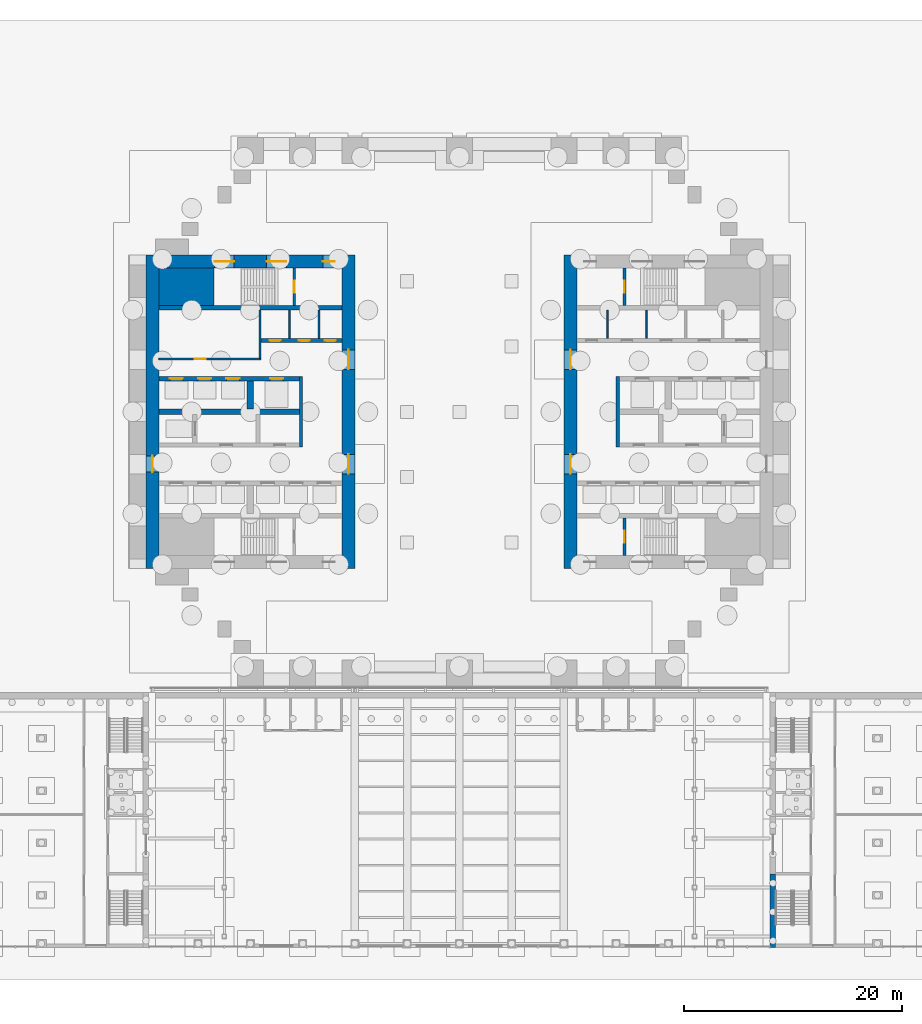
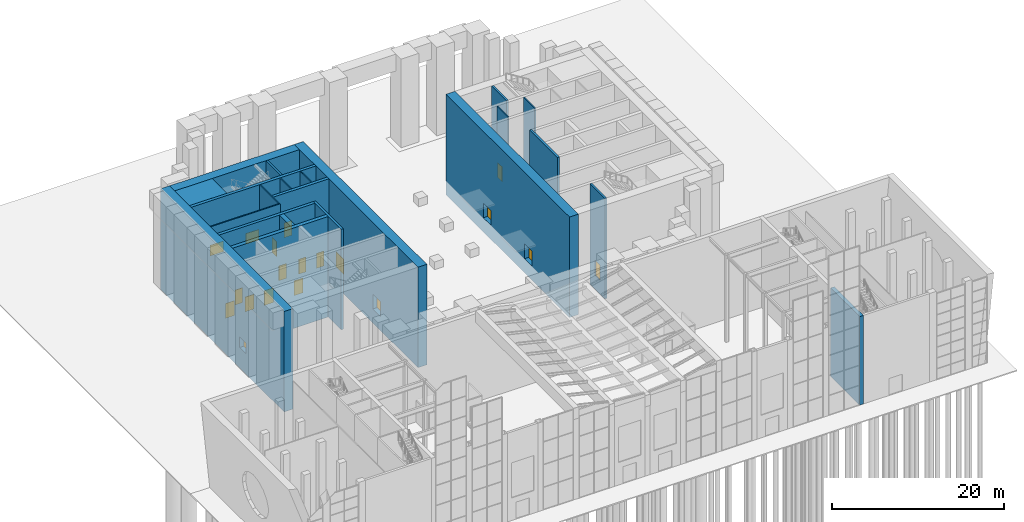
# One storey, part 46 of 58: 22 walls, 16 doors, 3 windows, 19 openings.
"""IFC4 building model written with IfcOpenShell, lengths in metres."""

from ifc_helpers import new_model, si_unit, direction, frame, frame_2d, origin, place, context, subcontext, project, spatial, rectangle, extrude, material, layer, layer_set, type_object, element, fill, save


model = new_model("IFC4")

# Units and contexts
model_context = context("Model", 3, precision=1e-05, world=origin(), true_north=direction((0.0, 1.0)))
body_context = subcontext(model_context, "Body", "Model", "MODEL_VIEW")
ifc_project = project(units=[si_unit("LENGTHUNIT", "METRE"), si_unit("AREAUNIT", "SQUARE_METRE"), si_unit("VOLUMEUNIT", "CUBIC_METRE"), si_unit("PLANEANGLEUNIT", "RADIAN"), si_unit("MASSUNIT", "GRAM", prefix="KILO")], contexts=[model_context])

# Site, building, storey
site_placement = place(None, origin())
site = spatial("IfcSite", under=ifc_project, at=site_placement, CompositionType="ELEMENT")
building_placement = place(site_placement, origin())
building = spatial("IfcBuilding", under=site, at=building_placement, Name="Baori Bourse Tower", CompositionType="ELEMENT")
storey_placement = place(building_placement, origin())
storey = spatial("IfcBuildingStorey", under=building, at=storey_placement, Name="L00", CompositionType="ELEMENT", Elevation=0.0)

# Wall
ifc_material_1 = material(Name="Concrete f'c 70 MPa", Category="concrete")
wall_type_1 = type_object("IfcWallType", Name="Core corner block f'c 70", PredefinedType="SHEAR", material=ifc_material_1)
wall_1_placement = place(storey_placement, frame((1.199951171875, 35.47509765625, -2.0), z_axis=(0.0, 0.0, 1.0), x_axis=(1.0, 0.0, 0.0)))
element("IfcWall", 1, at=wall_1_placement, inside=storey, type_object=wall_type_1, Name="Core wall W22", PredefinedType="SHEAR", context=body_context, shape_type="SweptSolid", body=[
    extrude(rectangle(XDim=5.050048828125, YDim=3.449951171875, at=frame_2d((2.52490234375, 0.0))), origin(), (0.0, 0.0, 1.0), 14.300048828125),
])

# Wall, opening, door
ifc_material_2 = material(Name="Blockwork partition", Category="masonry")
ifc_layer_1 = layer(ifc_material_2, 0.14990234375)
ifc_layer_set_1 = layer_set([ifc_layer_1], Name="Core partition 150")
wall_type_2 = type_object("IfcWallType", Name="Core partition 150", PredefinedType="PARTITIONING", material=ifc_layer_set_1)
wall_2_placement = place(storey_placement, frame((1.199951171875, 28.85009765625, 0.0), z_axis=(0.0, 0.0, 1.0), x_axis=(1.0, 0.0, 0.0)))
wall_2 = element("IfcWall", 2, at=wall_2_placement, inside=storey, type_object=wall_type_2, Name="Partition wall W16", PredefinedType="PARTITIONING", context=body_context, shape_type="SweptSolid", body=[
    extrude(rectangle(XDim=9.35009765625, YDim=0.14990234375, at=frame_2d((4.675048828125, 0.0))), origin(), (0.0, 0.0, 1.0), 12.300048828125),
])
opening_1_placement = place(wall_2_placement, frame((3.300048828125, 0.0, 0.0)))
opening_1 = element("IfcOpeningElement", 3, at=opening_1_placement, cuts=wall_2, Name="Opening L00-D109", PredefinedType="OPENING", context=body_context, shape_type="SweptSolid", body=[
    extrude(rectangle(XDim=1.0, YDim=2.10009765625, at=frame_2d((0.5, 1.050048828125))), frame((0.0, 0.0849609375, 0.0), z_axis=(0.0, -1.0, 0.0), x_axis=(1.0, 0.0, 0.0)), (0.0, 0.0, 1.0), 0.169921875),
])
ifc_material_3 = material(Name="Painted steel door", Category="steel")
door_type_1 = type_object("IfcDoorType", Name="Core door 1000", OperationType="SINGLE_SWING_LEFT", PredefinedType="DOOR", material=ifc_material_3)
door_1_placement = place(opening_1_placement, origin())
door_1 = element("IfcDoor", 4, at=door_1_placement, inside=storey, type_object=door_type_1, Name="Fire command centre door W L00", OperationType="SINGLE_SWING_LEFT", OverallHeight=2.10009765625, OverallWidth=1.0, PredefinedType="DOOR", context=body_context, shape_type="SweptSolid", body=[
    extrude(rectangle(XDim=1.0, YDim=2.10009765625, at=frame_2d((0.5, 1.050048828125))), frame((0.0, 0.02490234375, 0.0), z_axis=(0.0, -1.0, 0.0), x_axis=(1.0, 0.0, 0.0)), (0.0, 0.0, 1.0), 0.050048828125),
])
fill(opening_1, door_1)

# Walls
wall_3_placement = place(storey_placement, frame((10.47509765625, 28.925048828125, 0.0), z_axis=(0.0, 0.0, 1.0), x_axis=(0.0, 1.0, 0.0)))
element("IfcWall", 5, at=wall_3_placement, inside=storey, type_object=wall_type_2, Name="Partition wall W17", PredefinedType="PARTITIONING", context=body_context, shape_type="SweptSolid", body=[
    extrude(rectangle(XDim=4.425048828125, YDim=0.14990234375, at=frame_2d((2.21240234375, 0.0))), origin(), (0.0, 0.0, 1.0), 12.300048828125),
])
for number, where, z_axis, x_axis, name in (
    (6, (13.199951171875, 30.75, 0.0), (0.0, 0.0, 1.0), (0.0, 1.0, 0.0), "Partition wall W19"),
    (7, (15.89990234375, 30.75, 0.0), (0.0, 0.0, 1.0), (0.0, 1.0, 0.0), "Partition wall W20"),
    (8, (46.0, 30.75, 0.0), (0.0, 0.0, 1.0), (0.0, 1.0, 0.0), "Partition wall E19"),
    (9, (42.39990234375, 30.75, 0.0), (0.0, 0.0, 1.0), (0.0, 1.0, 0.0), "Partition wall E20"),
):
    element("IfcWall", number, at=place(storey_placement, frame(where, z_axis=z_axis, x_axis=x_axis)), inside=storey, type_object=wall_type_2, Name=name, PredefinedType="PARTITIONING", context=body_context, shape_type="SweptSolid", body=[
        extrude(rectangle(XDim=2.60009765625, YDim=0.14990234375, at=frame_2d((1.300048828125, 0.0))), origin(), (0.0, 0.0, 1.0), 12.300048828125),
    ])

# Wall, opening, window
ifc_material_4 = material(Name="Concrete f'c 70 MPa", Category="concrete")
ifc_layer_2 = layer(ifc_material_4, 1.199951171875)
ifc_layer_set_2 = layer_set([ifc_layer_2], Name="Core wall 1200 f'c 70")
wall_type_3 = type_object("IfcWallType", Name="Core wall 1200 f'c 70", PredefinedType="SHEAR", material=ifc_layer_set_2)
wall_4_placement = place(storey_placement, frame((0.60009765625, 9.60009765625, -2.0), z_axis=(0.0, 0.0, 1.0), x_axis=(0.0, 1.0, 0.0)))
wall_4 = element("IfcWall", 10, at=wall_4_placement, inside=storey, type_object=wall_type_3, Name="Core wall W01", PredefinedType="SHEAR", context=body_context, shape_type="SweptSolid", body=[
    extrude(rectangle(XDim=28.7998046875, YDim=1.199951171875, at=frame_2d((14.39990234375, 0.0))), origin(), (0.0, 0.0, 1.0), 14.300048828125),
])
opening_2_placement = place(wall_4_placement, frame((8.85009765625, 0.0, 2.89990234375)))
opening_2 = element("IfcOpeningElement", 11, at=opening_2_placement, cuts=wall_4, Name="Opening L00-KW101", PredefinedType="OPENING", context=body_context, shape_type="SweptSolid", body=[
    extrude(rectangle(XDim=1.5, YDim=1.5, at=frame_2d((0.75, 0.75))), frame((0.0, 0.60986328125, 0.0), z_axis=(0.0, -1.0, 0.0), x_axis=(1.0, 0.0, 0.0)), (0.0, 0.0, 1.0), 1.219970703125),
])
ifc_material_5 = material(Name="Pale anodised aluminium", Category="aluminium")
window_type_1 = type_object("IfcWindowType", Name="Lobby window 1500 x 1500", PartitioningType="SINGLE_PANEL", PredefinedType="WINDOW", material=ifc_material_5)
window_1_placement = place(opening_2_placement, origin())
window_1 = element("IfcWindow", 12, at=window_1_placement, inside=storey, type_object=window_type_1, Name="Outer wall window W L00 1", OverallHeight=1.5, OverallWidth=1.5, PartitioningType="SINGLE_PANEL", PredefinedType="WINDOW", context=body_context, shape_type="SweptSolid", body=[
    extrude(rectangle(XDim=1.5, YDim=1.5, at=frame_2d((0.75, 0.75))), frame((0.0, 0.030029296875, 0.0), z_axis=(0.0, -1.0, 0.0), x_axis=(1.0, 0.0, 0.0)), (0.0, 0.0, 1.0), 0.06005859375),
])
fill(opening_2, window_1)

# Wall, openings, doors
wall_5_placement = place(storey_placement, frame((18.60009765625, 38.39990234375, -2.0), z_axis=(0.0, 0.0, 1.0), x_axis=(0.0, -1.0, 0.0)))
wall_5 = element("IfcWall", 13, at=wall_5_placement, inside=storey, type_object=wall_type_3, Name="Core wall W03", PredefinedType="SHEAR", context=body_context, shape_type="SweptSolid", body=[
    extrude(rectangle(XDim=28.7998046875, YDim=1.199951171875, at=frame_2d((14.39990234375, 0.0))), origin(), (0.0, 0.0, 1.0), 14.300048828125),
])
opening_3_placement = place(wall_5_placement, frame((18.300048828125, 0.0, 2.0)))
opening_3 = element("IfcOpeningElement", 14, at=opening_3_placement, cuts=wall_5, Name="Opening L00-D107", PredefinedType="OPENING", context=body_context, shape_type="SweptSolid", body=[
    extrude(rectangle(XDim=1.800048828125, YDim=2.10009765625, at=frame_2d((0.89990234375, 1.050048828125))), frame((0.0, 0.60986328125, 0.0), z_axis=(0.0, -1.0, 0.0), x_axis=(1.0, 0.0, 0.0)), (0.0, 0.0, 1.0), 1.219970703125),
])
opening_4_placement = place(wall_5_placement, frame((8.699951171875, 0.0, 2.0)))
opening_4 = element("IfcOpeningElement", 15, at=opening_4_placement, cuts=wall_5, Name="Opening L00-D108", PredefinedType="OPENING", context=body_context, shape_type="SweptSolid", body=[
    extrude(rectangle(XDim=1.800048828125, YDim=2.10009765625, at=frame_2d((0.89990234375, 1.050048828125))), frame((0.0, 0.60986328125, 0.0), z_axis=(0.0, -1.0, 0.0), x_axis=(1.0, 0.0, 0.0)), (0.0, 0.0, 1.0), 1.219970703125),
])
ifc_material_6 = material(Name="Painted steel door", Category="steel")
door_type_2 = type_object("IfcDoorType", Name="Core lobby door 1800", OperationType="DOUBLE_DOOR_SINGLE_SWING", PredefinedType="DOOR", material=ifc_material_6)
door_2_placement = place(opening_3_placement, origin())
door_2 = element("IfcDoor", 16, at=door_2_placement, inside=storey, type_object=door_type_2, Name="Lobby door W L00", OperationType="DOUBLE_DOOR_SINGLE_SWING", OverallHeight=2.10009765625, OverallWidth=1.800048828125, PredefinedType="DOOR", context=body_context, shape_type="SweptSolid", body=[
    extrude(rectangle(XDim=1.800048828125, YDim=2.10009765625, at=frame_2d((0.89990234375, 1.050048828125))), frame((0.0, 0.02490234375, 0.0), z_axis=(0.0, -1.0, 0.0), x_axis=(1.0, 0.0, 0.0)), (0.0, 0.0, 1.0), 0.050048828125),
])
fill(opening_3, door_2)
door_3_placement = place(opening_4_placement, origin())
door_3 = element("IfcDoor", 17, at=door_3_placement, inside=storey, type_object=door_type_2, Name="Lobby door W L00", OperationType="DOUBLE_DOOR_SINGLE_SWING", OverallHeight=2.10009765625, OverallWidth=1.800048828125, PredefinedType="DOOR", context=body_context, shape_type="SweptSolid", body=[
    extrude(rectangle(XDim=1.800048828125, YDim=2.10009765625, at=frame_2d((0.89990234375, 1.050048828125))), frame((0.0, 0.02490234375, 0.0), z_axis=(0.0, -1.0, 0.0), x_axis=(1.0, 0.0, 0.0)), (0.0, 0.0, 1.0), 0.050048828125),
])
fill(opening_4, door_3)

# Wall, openings, door, windows
wall_6_placement = place(storey_placement, frame((1.199951171875, 37.800048828125, -2.0), z_axis=(0.0, 0.0, 1.0), x_axis=(1.0, 0.0, 0.0)))
wall_6 = element("IfcWall", 18, at=wall_6_placement, inside=storey, type_object=wall_type_3, Name="Core wall W24", PredefinedType="SHEAR", context=body_context, shape_type="SweptSolid", body=[
    extrude(rectangle(XDim=16.800048828125, YDim=1.199951171875, at=frame_2d((8.39990234375, 0.0))), origin(), (0.0, 0.0, 1.0), 14.300048828125),
])
opening_5_placement = place(wall_6_placement, frame((15.050048828125, 0.0, 2.0)))
opening_5 = element("IfcOpeningElement", 19, at=opening_5_placement, cuts=wall_6, Name="Opening L00-D104", PredefinedType="OPENING", context=body_context, shape_type="SweptSolid", body=[
    extrude(rectangle(XDim=1.10009765625, YDim=2.10009765625, at=frame_2d((0.550048828125, 1.050048828125))), frame((0.0, 0.60986328125, 0.0), z_axis=(0.0, -1.0, 0.0), x_axis=(1.0, 0.0, 0.0)), (0.0, 0.0, 1.0), 1.219970703125),
])
opening_6_placement = place(wall_6_placement, frame((5.10009765625, 0.0, 2.89990234375)))
opening_6 = element("IfcOpeningElement", 20, at=opening_6_placement, cuts=wall_6, Name="Opening L00-KW104", PredefinedType="OPENING", context=body_context, shape_type="SweptSolid", body=[
    extrude(rectangle(XDim=1.800048828125, YDim=1.5, at=frame_2d((0.89990234375, 0.75))), frame((0.0, 0.60986328125, 0.0), z_axis=(0.0, -1.0, 0.0), x_axis=(1.0, 0.0, 0.0)), (0.0, 0.0, 1.0), 1.219970703125),
])
opening_7_placement = place(wall_6_placement, frame((9.89990234375, 0.0, 2.89990234375)))
opening_7 = element("IfcOpeningElement", 21, at=opening_7_placement, cuts=wall_6, Name="Opening L00-KW105", PredefinedType="OPENING", context=body_context, shape_type="SweptSolid", body=[
    extrude(rectangle(XDim=1.800048828125, YDim=1.5, at=frame_2d((0.89990234375, 0.75))), frame((0.0, 0.60986328125, 0.0), z_axis=(0.0, -1.0, 0.0), x_axis=(1.0, 0.0, 0.0)), (0.0, 0.0, 1.0), 1.219970703125),
])
ifc_material_7 = material(Name="Painted steel door", Category="steel")
door_type_3 = type_object("IfcDoorType", Name="Stair door 1100", OperationType="SINGLE_SWING_LEFT", PredefinedType="DOOR", material=ifc_material_7)
door_4_placement = place(opening_5_placement, origin())
door_4 = element("IfcDoor", 22, at=door_4_placement, inside=storey, type_object=door_type_3, Name="Stair vestibule door B W L00", OperationType="SINGLE_SWING_LEFT", OverallHeight=2.10009765625, OverallWidth=1.10009765625, PredefinedType="DOOR", context=body_context, shape_type="SweptSolid", body=[
    extrude(rectangle(XDim=1.10009765625, YDim=2.10009765625, at=frame_2d((0.550048828125, 1.050048828125))), frame((0.0, 0.02490234375, 0.0), z_axis=(0.0, -1.0, 0.0), x_axis=(1.0, 0.0, 0.0)), (0.0, 0.0, 1.0), 0.050048828125),
])
fill(opening_5, door_4)
ifc_material_8 = material(Name="Pale anodised aluminium", Category="aluminium")
window_type_2 = type_object("IfcWindowType", Name="Stair window 1800 x 1500", PartitioningType="SINGLE_PANEL", PredefinedType="WINDOW", material=ifc_material_8)
window_2_placement = place(opening_6_placement, origin())
window_2 = element("IfcWindow", 23, at=window_2_placement, inside=storey, type_object=window_type_2, Name="Stair window W L00 4", OverallHeight=1.5, OverallWidth=1.800048828125, PartitioningType="SINGLE_PANEL", PredefinedType="WINDOW", context=body_context, shape_type="SweptSolid", body=[
    extrude(rectangle(XDim=1.800048828125, YDim=1.5, at=frame_2d((0.89990234375, 0.75))), frame((0.0, 0.030029296875, 0.0), z_axis=(0.0, -1.0, 0.0), x_axis=(1.0, 0.0, 0.0)), (0.0, 0.0, 1.0), 0.06005859375),
])
fill(opening_6, window_2)
window_3_placement = place(opening_7_placement, origin())
window_3 = element("IfcWindow", 24, at=window_3_placement, inside=storey, type_object=window_type_2, Name="Stair window W L00 5", OverallHeight=1.5, OverallWidth=1.800048828125, PartitioningType="SINGLE_PANEL", PredefinedType="WINDOW", context=body_context, shape_type="SweptSolid", body=[
    extrude(rectangle(XDim=1.800048828125, YDim=1.5, at=frame_2d((0.89990234375, 0.75))), frame((0.0, 0.030029296875, 0.0), z_axis=(0.0, -1.0, 0.0), x_axis=(1.0, 0.0, 0.0)), (0.0, 0.0, 1.0), 0.06005859375),
])
fill(opening_7, window_3)

# Wall, openings, doors
wall_7_placement = place(storey_placement, frame((39.0, 9.60009765625, -2.0), z_axis=(0.0, 0.0, 1.0), x_axis=(0.0, 1.0, 0.0)))
wall_7 = element("IfcWall", 25, at=wall_7_placement, inside=storey, type_object=wall_type_3, Name="Core wall E03", PredefinedType="SHEAR", context=body_context, shape_type="SweptSolid", body=[
    extrude(rectangle(XDim=28.7998046875, YDim=1.199951171875, at=frame_2d((14.39990234375, 0.0))), origin(), (0.0, 0.0, 1.0), 14.300048828125),
])
opening_8_placement = place(wall_7_placement, frame((8.699951171875, 0.0, 2.0)))
opening_8 = element("IfcOpeningElement", 26, at=opening_8_placement, cuts=wall_7, Name="Opening L00-D207", PredefinedType="OPENING", context=body_context, shape_type="SweptSolid", body=[
    extrude(rectangle(XDim=1.800048828125, YDim=2.10009765625, at=frame_2d((0.89990234375, 1.050048828125))), frame((0.0, 0.60986328125, 0.0), z_axis=(0.0, -1.0, 0.0), x_axis=(1.0, 0.0, 0.0)), (0.0, 0.0, 1.0), 1.219970703125),
])
opening_9_placement = place(wall_7_placement, frame((18.300048828125, 0.0, 2.0)))
opening_9 = element("IfcOpeningElement", 27, at=opening_9_placement, cuts=wall_7, Name="Opening L00-D208", PredefinedType="OPENING", context=body_context, shape_type="SweptSolid", body=[
    extrude(rectangle(XDim=1.800048828125, YDim=2.10009765625, at=frame_2d((0.89990234375, 1.050048828125))), frame((0.0, 0.60986328125, 0.0), z_axis=(0.0, -1.0, 0.0), x_axis=(1.0, 0.0, 0.0)), (0.0, 0.0, 1.0), 1.219970703125),
])
door_5_placement = place(opening_8_placement, origin())
door_5 = element("IfcDoor", 28, at=door_5_placement, inside=storey, type_object=door_type_2, Name="Lobby door E L00", OperationType="DOUBLE_DOOR_SINGLE_SWING", OverallHeight=2.10009765625, OverallWidth=1.800048828125, PredefinedType="DOOR", context=body_context, shape_type="SweptSolid", body=[
    extrude(rectangle(XDim=1.800048828125, YDim=2.10009765625, at=frame_2d((0.89990234375, 1.050048828125))), frame((0.0, 0.02490234375, 0.0), z_axis=(0.0, -1.0, 0.0), x_axis=(1.0, 0.0, 0.0)), (0.0, 0.0, 1.0), 0.050048828125),
])
fill(opening_8, door_5)
door_6_placement = place(opening_9_placement, origin())
door_6 = element("IfcDoor", 29, at=door_6_placement, inside=storey, type_object=door_type_2, Name="Lobby door E L00", OperationType="DOUBLE_DOOR_SINGLE_SWING", OverallHeight=2.10009765625, OverallWidth=1.800048828125, PredefinedType="DOOR", context=body_context, shape_type="SweptSolid", body=[
    extrude(rectangle(XDim=1.800048828125, YDim=2.10009765625, at=frame_2d((0.89990234375, 1.050048828125))), frame((0.0, 0.02490234375, 0.0), z_axis=(0.0, -1.0, 0.0), x_axis=(1.0, 0.0, 0.0)), (0.0, 0.0, 1.0), 0.050048828125),
])
fill(opening_9, door_6)

# Wall
ifc_material_9 = material(Name="Concrete f'c 50 MPa", Category="concrete")
ifc_layer_3 = layer(ifc_material_9, 0.5)
ifc_layer_set_3 = layer_set([ifc_layer_3], Name="Hall end wall 500")
wall_type_4 = type_object("IfcWallType", Name="Hall end wall 500", PredefinedType="SOLIDWALL", material=ifc_layer_set_3)
wall_8_placement = place(storey_placement, frame((57.60009765625, -18.43994140625, 0.0), z_axis=(0.0, 0.0, 1.0), x_axis=(0.0, -1.0, 0.0)))
element("IfcWall", 30, at=wall_8_placement, inside=storey, type_object=wall_type_4, Name="wing/L00/Ehallwall/004", PredefinedType="SOLIDWALL", context=body_context, shape_type="SweptSolid", body=[
    extrude(rectangle(XDim=6.760009765625, YDim=0.5, at=frame_2d((3.3798828125, 0.0))), origin(), (0.0, 0.0, 1.0), 12.60009765625),
])

# Wall, opening, door
ifc_material_10 = material(Name="Concrete f'c 70 MPa", Category="concrete")
ifc_layer_4 = layer(ifc_material_10, 0.25)
ifc_layer_set_4 = layer_set([ifc_layer_4], Name="Shaft wall 250 f'c 70")
wall_type_5 = type_object("IfcWallType", Name="Shaft wall 250 f'c 70", PredefinedType="SHEAR", material=ifc_layer_set_4)
wall_9_placement = place(storey_placement, frame((13.625, 33.75, -2.0), z_axis=(0.0, 0.0, 1.0), x_axis=(0.0, 1.0, 0.0)))
wall_9 = element("IfcWall", 31, at=wall_9_placement, inside=storey, type_object=wall_type_5, Name="Core wall W23", PredefinedType="SHEAR", context=body_context, shape_type="SweptSolid", body=[
    extrude(rectangle(XDim=3.449951171875, YDim=0.25, at=frame_2d((1.72509765625, 0.0))), origin(), (0.0, 0.0, 1.0), 14.300048828125),
])
opening_10_placement = place(wall_9_placement, frame((1.175048828125, 0.0, 2.0)))
opening_10 = element("IfcOpeningElement", 32, at=opening_10_placement, cuts=wall_9, Name="Opening L00-D103", PredefinedType="OPENING", context=body_context, shape_type="SweptSolid", body=[
    extrude(rectangle(XDim=1.10009765625, YDim=2.10009765625, at=frame_2d((0.550048828125, 1.050048828125))), frame((0.0, 0.135009765625, 0.0), z_axis=(0.0, -1.0, 0.0), x_axis=(1.0, 0.0, 0.0)), (0.0, 0.0, 1.0), 0.27001953125),
])
door_7_placement = place(opening_10_placement, origin())
door_7 = element("IfcDoor", 33, at=door_7_placement, inside=storey, type_object=door_type_3, Name="Stair door B W L00", OperationType="SINGLE_SWING_LEFT", OverallHeight=2.10009765625, OverallWidth=1.10009765625, PredefinedType="DOOR", context=body_context, shape_type="SweptSolid", body=[
    extrude(rectangle(XDim=1.10009765625, YDim=2.10009765625, at=frame_2d((0.550048828125, 1.050048828125))), frame((0.0, 0.02490234375, 0.0), z_axis=(0.0, -1.0, 0.0), x_axis=(1.0, 0.0, 0.0)), (0.0, 0.0, 1.0), 0.050048828125),
])
fill(opening_10, door_7)

wall_10_placement = place(storey_placement, frame((43.97509765625, 10.800048828125, -2.0), z_axis=(0.0, 0.0, 1.0), x_axis=(0.0, 1.0, 0.0)))
wall_10 = element("IfcWall", 34, at=wall_10_placement, inside=storey, type_object=wall_type_5, Name="Core wall E05", PredefinedType="SHEAR", context=body_context, shape_type="SweptSolid", body=[
    extrude(rectangle(XDim=3.449951171875, YDim=0.25, at=frame_2d((1.72509765625, 0.0))), origin(), (0.0, 0.0, 1.0), 14.300048828125),
])
opening_11_placement = place(wall_10_placement, frame((1.175048828125, 0.0, 2.0)))
opening_11 = element("IfcOpeningElement", 35, at=opening_11_placement, cuts=wall_10, Name="Opening L00-D201", PredefinedType="OPENING", context=body_context, shape_type="SweptSolid", body=[
    extrude(rectangle(XDim=1.10009765625, YDim=2.10009765625, at=frame_2d((0.550048828125, 1.050048828125))), frame((0.0, 0.135009765625, 0.0), z_axis=(0.0, -1.0, 0.0), x_axis=(1.0, 0.0, 0.0)), (0.0, 0.0, 1.0), 0.27001953125),
])
door_8_placement = place(opening_11_placement, origin())
door_8 = element("IfcDoor", 36, at=door_8_placement, inside=storey, type_object=door_type_3, Name="Stair door A E L00", OperationType="SINGLE_SWING_LEFT", OverallHeight=2.10009765625, OverallWidth=1.10009765625, PredefinedType="DOOR", context=body_context, shape_type="SweptSolid", body=[
    extrude(rectangle(XDim=1.10009765625, YDim=2.10009765625, at=frame_2d((0.550048828125, 1.050048828125))), frame((0.0, 0.02490234375, 0.0), z_axis=(0.0, -1.0, 0.0), x_axis=(1.0, 0.0, 0.0)), (0.0, 0.0, 1.0), 0.050048828125),
])
fill(opening_11, door_8)

wall_11_placement = place(storey_placement, frame((43.97509765625, 33.75, -2.0), z_axis=(0.0, 0.0, 1.0), x_axis=(0.0, 1.0, 0.0)))
wall_11 = element("IfcWall", 37, at=wall_11_placement, inside=storey, type_object=wall_type_5, Name="Core wall E23", PredefinedType="SHEAR", context=body_context, shape_type="SweptSolid", body=[
    extrude(rectangle(XDim=3.449951171875, YDim=0.25, at=frame_2d((1.72509765625, 0.0))), origin(), (0.0, 0.0, 1.0), 14.300048828125),
])
opening_12_placement = place(wall_11_placement, frame((1.175048828125, 0.0, 2.0)))
opening_12 = element("IfcOpeningElement", 38, at=opening_12_placement, cuts=wall_11, Name="Opening L00-D203", PredefinedType="OPENING", context=body_context, shape_type="SweptSolid", body=[
    extrude(rectangle(XDim=1.10009765625, YDim=2.10009765625, at=frame_2d((0.550048828125, 1.050048828125))), frame((0.0, 0.135009765625, 0.0), z_axis=(0.0, -1.0, 0.0), x_axis=(1.0, 0.0, 0.0)), (0.0, 0.0, 1.0), 0.27001953125),
])
door_9_placement = place(opening_12_placement, origin())
door_9 = element("IfcDoor", 39, at=door_9_placement, inside=storey, type_object=door_type_3, Name="Stair door B E L00", OperationType="SINGLE_SWING_LEFT", OverallHeight=2.10009765625, OverallWidth=1.10009765625, PredefinedType="DOOR", context=body_context, shape_type="SweptSolid", body=[
    extrude(rectangle(XDim=1.10009765625, YDim=2.10009765625, at=frame_2d((0.550048828125, 1.050048828125))), frame((0.0, 0.02490234375, 0.0), z_axis=(0.0, -1.0, 0.0), x_axis=(1.0, 0.0, 0.0)), (0.0, 0.0, 1.0), 0.050048828125),
])
fill(opening_12, door_9)

# Walls
ifc_material_11 = material(Name="Concrete f'c 70 MPa", Category="concrete")
ifc_layer_5 = layer(ifc_material_11, 0.300048828125)
ifc_layer_set_5 = layer_set([ifc_layer_5], Name="Shaft wall 300 f'c 70")
wall_type_6 = type_object("IfcWallType", Name="Shaft wall 300 f'c 70", PredefinedType="SHEAR", material=ifc_layer_set_5)
for number, where, z_axis, x_axis, name in (
    (40, (14.25, 20.75, -2.0), (0.0, 0.0, 1.0), (0.0, 1.0, 0.0), "Core wall W10"),
    (41, (43.35009765625, 20.75, -2.0), (0.0, 0.0, 1.0), (0.0, 1.0, 0.0), "Core wall E10"),
):
    element("IfcWall", number, at=place(storey_placement, frame(where, z_axis=z_axis, x_axis=x_axis)), inside=storey, type_object=wall_type_6, Name=name, PredefinedType="SHEAR", context=body_context, shape_type="SweptSolid", body=[
        extrude(rectangle(XDim=6.5, YDim=0.300048828125, at=frame_2d((3.25, 0.0))), origin(), (0.0, 0.0, 1.0), 14.300048828125),
    ])

# Wall, openings, doors
ifc_material_12 = material(Name="Concrete f'c 70 MPa", Category="concrete")
ifc_layer_6 = layer(ifc_material_12, 0.39990234375)
ifc_layer_set_6 = layer_set([ifc_layer_6], Name="Shaft wall 400 f'c 70")
wall_type_7 = type_object("IfcWallType", Name="Shaft wall 400 f'c 70", PredefinedType="SHEAR", material=ifc_layer_set_6)
wall_12_placement = place(storey_placement, frame((1.199951171875, 27.050048828125, -2.0), z_axis=(0.0, 0.0, 1.0), x_axis=(1.0, 0.0, 0.0)))
wall_12 = element("IfcWall", 42, at=wall_12_placement, inside=storey, type_object=wall_type_7, Name="Core wall W15", PredefinedType="SHEAR", context=body_context, shape_type="SweptSolid", body=[
    extrude(rectangle(XDim=12.900146484375, YDim=0.39990234375, at=frame_2d((6.4501953125, 0.0))), origin(), (0.0, 0.0, 1.0), 14.300048828125),
])
opening_13_placement = place(wall_12_placement, frame((1.0, 0.0, 2.0)))
opening_13 = element("IfcOpeningElement", 43, at=opening_13_placement, cuts=wall_12, Name="Opening L00-D119", PredefinedType="OPENING", context=body_context, shape_type="SweptSolid", body=[
    extrude(rectangle(XDim=1.199951171875, YDim=2.10009765625, at=frame_2d((0.60009765625, 1.050048828125))), frame((0.0, 0.2099609375, 0.0), z_axis=(0.0, -1.0, 0.0), x_axis=(1.0, 0.0, 0.0)), (0.0, 0.0, 1.0), 0.419921875),
])
opening_14_placement = place(wall_12_placement, frame((3.60009765625, 0.0, 2.0)))
opening_14 = element("IfcOpeningElement", 44, at=opening_14_placement, cuts=wall_12, Name="Opening L00-D120", PredefinedType="OPENING", context=body_context, shape_type="SweptSolid", body=[
    extrude(rectangle(XDim=1.199951171875, YDim=2.10009765625, at=frame_2d((0.60009765625, 1.050048828125))), frame((0.0, 0.2099609375, 0.0), z_axis=(0.0, -1.0, 0.0), x_axis=(1.0, 0.0, 0.0)), (0.0, 0.0, 1.0), 0.419921875),
])
opening_15_placement = place(wall_12_placement, frame((6.199951171875, 0.0, 2.0)))
opening_15 = element("IfcOpeningElement", 45, at=opening_15_placement, cuts=wall_12, Name="Opening L00-D121", PredefinedType="OPENING", context=body_context, shape_type="SweptSolid", body=[
    extrude(rectangle(XDim=1.199951171875, YDim=2.10009765625, at=frame_2d((0.60009765625, 1.050048828125))), frame((0.0, 0.2099609375, 0.0), z_axis=(0.0, -1.0, 0.0), x_axis=(1.0, 0.0, 0.0)), (0.0, 0.0, 1.0), 0.419921875),
])
opening_16_placement = place(wall_12_placement, frame((10.199951171875, 0.0, 2.0)))
opening_16 = element("IfcOpeningElement", 46, at=opening_16_placement, cuts=wall_12, Name="Opening L00-D122", PredefinedType="OPENING", context=body_context, shape_type="SweptSolid", body=[
    extrude(rectangle(XDim=1.199951171875, YDim=2.10009765625, at=frame_2d((0.60009765625, 1.050048828125))), frame((0.0, 0.2099609375, 0.0), z_axis=(0.0, -1.0, 0.0), x_axis=(1.0, 0.0, 0.0)), (0.0, 0.0, 1.0), 0.419921875),
])
ifc_material_13 = material(Name="Stainless steel door", Category="steel")
door_type_4 = type_object("IfcDoorType", Name="Lift landing door", OperationType="DOUBLE_DOOR_SLIDING", PredefinedType="DOOR", material=ifc_material_13)
door_10_placement = place(opening_13_placement, origin())
door_10 = element("IfcDoor", 47, at=door_10_placement, inside=storey, type_object=door_type_4, Name="Lift landing door SH1 W L00", OperationType="DOUBLE_DOOR_SLIDING", OverallHeight=2.10009765625, OverallWidth=1.199951171875, PredefinedType="DOOR", context=body_context, shape_type="SweptSolid", body=[
    extrude(rectangle(XDim=1.199951171875, YDim=2.10009765625, at=frame_2d((0.60009765625, 1.050048828125))), frame((0.0, 0.02490234375, 0.0), z_axis=(0.0, -1.0, 0.0), x_axis=(1.0, 0.0, 0.0)), (0.0, 0.0, 1.0), 0.050048828125),
])
fill(opening_13, door_10)
door_11_placement = place(opening_14_placement, origin())
door_11 = element("IfcDoor", 48, at=door_11_placement, inside=storey, type_object=door_type_4, Name="Lift landing door SH2 W L00", OperationType="DOUBLE_DOOR_SLIDING", OverallHeight=2.10009765625, OverallWidth=1.199951171875, PredefinedType="DOOR", context=body_context, shape_type="SweptSolid", body=[
    extrude(rectangle(XDim=1.199951171875, YDim=2.10009765625, at=frame_2d((0.60009765625, 1.050048828125))), frame((0.0, 0.02490234375, 0.0), z_axis=(0.0, -1.0, 0.0), x_axis=(1.0, 0.0, 0.0)), (0.0, 0.0, 1.0), 0.050048828125),
])
fill(opening_14, door_11)
door_12_placement = place(opening_15_placement, origin())
door_12 = element("IfcDoor", 49, at=door_12_placement, inside=storey, type_object=door_type_4, Name="Lift landing door SH3 W L00", OperationType="DOUBLE_DOOR_SLIDING", OverallHeight=2.10009765625, OverallWidth=1.199951171875, PredefinedType="DOOR", context=body_context, shape_type="SweptSolid", body=[
    extrude(rectangle(XDim=1.199951171875, YDim=2.10009765625, at=frame_2d((0.60009765625, 1.050048828125))), frame((0.0, 0.02490234375, 0.0), z_axis=(0.0, -1.0, 0.0), x_axis=(1.0, 0.0, 0.0)), (0.0, 0.0, 1.0), 0.050048828125),
])
fill(opening_15, door_12)
door_13_placement = place(opening_16_placement, origin())
door_13 = element("IfcDoor", 50, at=door_13_placement, inside=storey, type_object=door_type_4, Name="Lift landing door SV1 W L00", OperationType="DOUBLE_DOOR_SLIDING", OverallHeight=2.10009765625, OverallWidth=1.199951171875, PredefinedType="DOOR", context=body_context, shape_type="SweptSolid", body=[
    extrude(rectangle(XDim=1.199951171875, YDim=2.10009765625, at=frame_2d((0.60009765625, 1.050048828125))), frame((0.0, 0.02490234375, 0.0), z_axis=(0.0, -1.0, 0.0), x_axis=(1.0, 0.0, 0.0)), (0.0, 0.0, 1.0), 0.050048828125),
])
fill(opening_16, door_13)

wall_13_placement = place(storey_placement, frame((10.550048828125, 30.550048828125, -2.0), z_axis=(0.0, 0.0, 1.0), x_axis=(1.0, 0.0, 0.0)))
wall_13 = element("IfcWall", 51, at=wall_13_placement, inside=storey, type_object=wall_type_7, Name="Core wall W18", PredefinedType="SHEAR", context=body_context, shape_type="SweptSolid", body=[
    extrude(rectangle(XDim=7.449951171875, YDim=0.39990234375, at=frame_2d((3.72509765625, 0.0))), origin(), (0.0, 0.0, 1.0), 14.300048828125),
])
opening_17_placement = place(wall_13_placement, frame((0.824951171875, 0.0, 2.0)))
opening_17 = element("IfcOpeningElement", 52, at=opening_17_placement, cuts=wall_13, Name="Opening L00-D110", PredefinedType="OPENING", context=body_context, shape_type="SweptSolid", body=[
    extrude(rectangle(XDim=1.0, YDim=2.10009765625, at=frame_2d((0.5, 1.050048828125))), frame((0.0, 0.2099609375, 0.0), z_axis=(0.0, -1.0, 0.0), x_axis=(1.0, 0.0, 0.0)), (0.0, 0.0, 1.0), 0.419921875),
])
opening_18_placement = place(wall_13_placement, frame((3.5, 0.0, 2.0)))
opening_18 = element("IfcOpeningElement", 53, at=opening_18_placement, cuts=wall_13, Name="Opening L00-D111", PredefinedType="OPENING", context=body_context, shape_type="SweptSolid", body=[
    extrude(rectangle(XDim=1.0, YDim=2.10009765625, at=frame_2d((0.5, 1.050048828125))), frame((0.0, 0.2099609375, 0.0), z_axis=(0.0, -1.0, 0.0), x_axis=(1.0, 0.0, 0.0)), (0.0, 0.0, 1.0), 0.419921875),
])
opening_19_placement = place(wall_13_placement, frame((5.89990234375, 0.0, 2.0)))
opening_19 = element("IfcOpeningElement", 54, at=opening_19_placement, cuts=wall_13, Name="Opening L00-D112", PredefinedType="OPENING", context=body_context, shape_type="SweptSolid", body=[
    extrude(rectangle(XDim=1.0, YDim=2.10009765625, at=frame_2d((0.5, 1.050048828125))), frame((0.0, 0.2099609375, 0.0), z_axis=(0.0, -1.0, 0.0), x_axis=(1.0, 0.0, 0.0)), (0.0, 0.0, 1.0), 0.419921875),
])
door_14_placement = place(opening_17_placement, origin())
door_14 = element("IfcDoor", 55, at=door_14_placement, inside=storey, type_object=door_type_1, Name="Men'S Wc door W L00", OperationType="SINGLE_SWING_LEFT", OverallHeight=2.10009765625, OverallWidth=1.0, PredefinedType="DOOR", context=body_context, shape_type="SweptSolid", body=[
    extrude(rectangle(XDim=1.0, YDim=2.10009765625, at=frame_2d((0.5, 1.050048828125))), frame((0.0, 0.02490234375, 0.0), z_axis=(0.0, -1.0, 0.0), x_axis=(1.0, 0.0, 0.0)), (0.0, 0.0, 1.0), 0.050048828125),
])
fill(opening_17, door_14)
door_15_placement = place(opening_18_placement, origin())
door_15 = element("IfcDoor", 56, at=door_15_placement, inside=storey, type_object=door_type_1, Name="Women'S Wc door W L00", OperationType="SINGLE_SWING_LEFT", OverallHeight=2.10009765625, OverallWidth=1.0, PredefinedType="DOOR", context=body_context, shape_type="SweptSolid", body=[
    extrude(rectangle(XDim=1.0, YDim=2.10009765625, at=frame_2d((0.5, 1.050048828125))), frame((0.0, 0.02490234375, 0.0), z_axis=(0.0, -1.0, 0.0), x_axis=(1.0, 0.0, 0.0)), (0.0, 0.0, 1.0), 0.050048828125),
])
fill(opening_18, door_15)
door_16_placement = place(opening_19_placement, origin())
door_16 = element("IfcDoor", 57, at=door_16_placement, inside=storey, type_object=door_type_1, Name="Accessible Wc door W L00", OperationType="SINGLE_SWING_LEFT", OverallHeight=2.10009765625, OverallWidth=1.0, PredefinedType="DOOR", context=body_context, shape_type="SweptSolid", body=[
    extrude(rectangle(XDim=1.0, YDim=2.10009765625, at=frame_2d((0.5, 1.050048828125))), frame((0.0, 0.02490234375, 0.0), z_axis=(0.0, -1.0, 0.0), x_axis=(1.0, 0.0, 0.0)), (0.0, 0.0, 1.0), 0.050048828125),
])
fill(opening_19, door_16)

# Walls
wall_14_placement = place(storey_placement, frame((1.199951171875, 33.550048828125, -2.0), z_axis=(0.0, 0.0, 1.0), x_axis=(1.0, 0.0, 0.0)))
element("IfcWall", 58, at=wall_14_placement, inside=storey, type_object=wall_type_7, Name="Core wall W21", PredefinedType="SHEAR", context=body_context, shape_type="SweptSolid", body=[
    extrude(rectangle(XDim=16.800048828125, YDim=0.39990234375, at=frame_2d((8.39990234375, 0.0))), origin(), (0.0, 0.0, 1.0), 14.300048828125),
])
ifc_material_14 = material(Name="Concrete f'c 70 MPa", Category="concrete")
ifc_layer_7 = layer(ifc_material_14, 0.5)
ifc_layer_set_7 = layer_set([ifc_layer_7], Name="Shaft wall 500 f'c 70")
wall_type_8 = type_object("IfcWallType", Name="Shaft wall 500 f'c 70", PredefinedType="SHEAR", material=ifc_layer_set_7)
wall_15_placement = place(storey_placement, frame((1.199951171875, 24.0, -2.0), z_axis=(0.0, 0.0, 1.0), x_axis=(1.0, 0.0, 0.0)))
element("IfcWall", 59, at=wall_15_placement, inside=storey, type_object=wall_type_8, Name="Core wall W13", PredefinedType="SHEAR", context=body_context, shape_type="SweptSolid", body=[
    extrude(rectangle(XDim=12.900146484375, YDim=0.5, at=frame_2d((6.4501953125, 0.0))), origin(), (0.0, 0.0, 1.0), 14.300048828125),
])
ifc_material_15 = material(Name="Concrete f'c 70 MPa", Category="concrete")
ifc_layer_8 = layer(ifc_material_15, 0.60009765625)
ifc_layer_set_8 = layer_set([ifc_layer_8], Name="Shaft wall 600 f'c 70")
wall_type_9 = type_object("IfcWallType", Name="Shaft wall 600 f'c 70", PredefinedType="SHEAR", material=ifc_layer_set_8)
wall_16_placement = place(storey_placement, frame((9.60009765625, 24.25, -2.0), z_axis=(0.0, 0.0, 1.0), x_axis=(0.0, 1.0, 0.0)))
element("IfcWall", 60, at=wall_16_placement, inside=storey, type_object=wall_type_9, Name="Core wall W14", PredefinedType="SHEAR", context=body_context, shape_type="SweptSolid", body=[
    extrude(rectangle(XDim=2.60009765625, YDim=0.60009765625, at=frame_2d((1.300048828125, 0.0))), origin(), (0.0, 0.0, 1.0), 14.300048828125),
])

save(model, "model.ifc")
